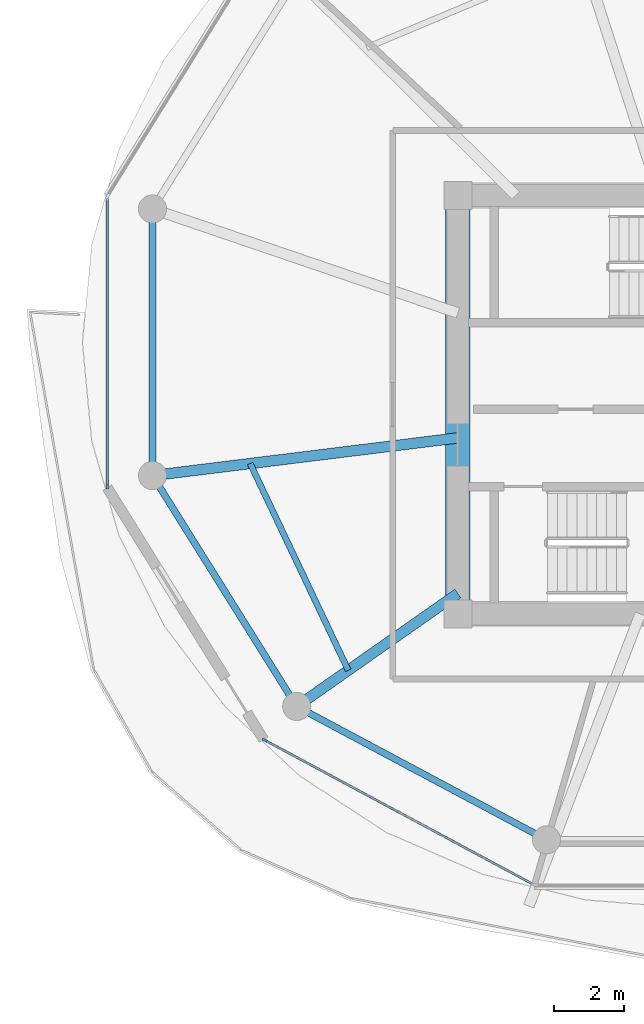
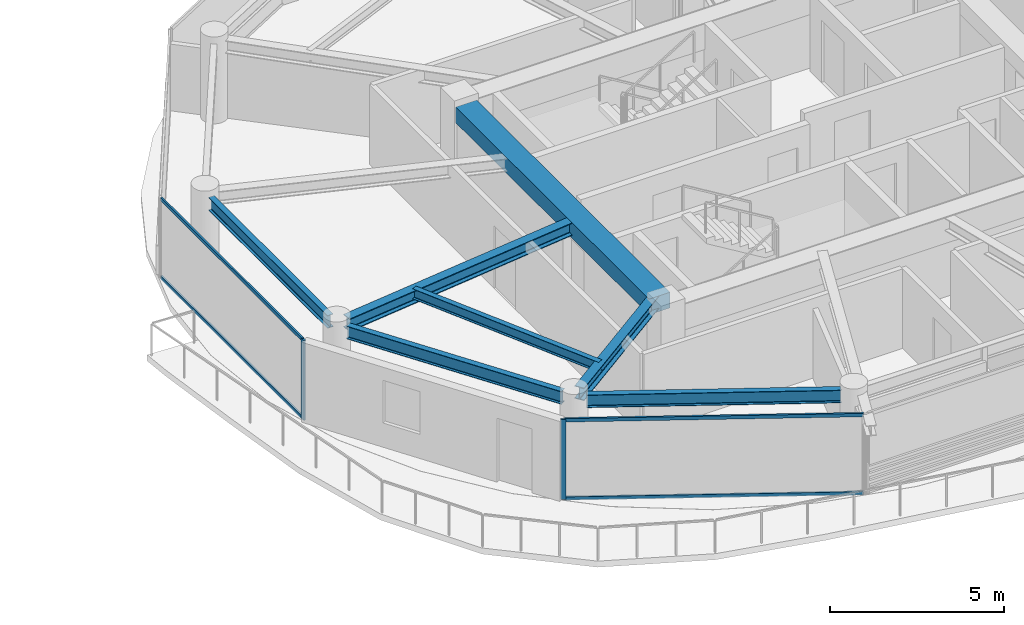
# One storey, part 6 of 21: 7 beams, 6 members, 2 elements without a shape of their own.
"""IFC4 building model written with IfcOpenShell, lengths in metres."""

from ifc_helpers import new_model, si_unit, direction, frame, origin, origin_2d, place, context, subcontext, project, spatial, rectangle, i_section, extrude, source, transform, mapped, material, layer, layer_set, material_profile, profile_set, type_object, type_shapes, element, aggregate, save


model = new_model("IFC4")

# Units and contexts
model_context = context("Model", 3, precision=1e-05, world=origin(), true_north=direction((0.0, 1.0)))
body_context = subcontext(model_context, "Body", "Model", "MODEL_VIEW")
ifc_project = project(units=[si_unit("LENGTHUNIT", "METRE"), si_unit("AREAUNIT", "SQUARE_METRE"), si_unit("VOLUMEUNIT", "CUBIC_METRE"), si_unit("PLANEANGLEUNIT", "RADIAN"), si_unit("MASSUNIT", "GRAM", prefix="KILO")], contexts=[model_context])

# Site, building, storey
site_placement = place(None, origin())
site = spatial("IfcSite", under=ifc_project, at=site_placement, CompositionType="ELEMENT")
building_placement = place(site_placement, origin())
building = spatial("IfcBuilding", under=site, at=building_placement, Name="Norrkilde Senior Care Towers", CompositionType="ELEMENT")
storey_placement = place(building_placement, frame((0.0, 0.0, 143.449951171875)))
storey = spatial("IfcBuildingStorey", under=building, at=storey_placement, Name="L44", CompositionType="ELEMENT", Elevation=143.449951171875)

# Beams
ifc_material_1 = material(Name="Concrete C60/75", Category="concrete")
ifc_material_profile_1 = material_profile(ifc_material_1, rectangle(XDim=0.699951171875, YDim=0.550048828125, at=origin_2d()), Name="RC BM 700x550")
ifc_profile_set_1 = profile_set([ifc_material_profile_1], Name="Concrete C60/75")
beam_type_1 = type_object("IfcBeamType", Name="Core Portal Coupling Beam 700x550", PredefinedType="USERDEFINED", material=ifc_profile_set_1)
shared_shape_1 = source(origin(), body_context, "Body", "SweptSolid", [
    extrude(rectangle(XDim=0.699951171875, YDim=0.550048828125, at=origin_2d()), origin(), (0.0, 0.0, 1.0), 11.14013671875),
])
type_shapes(beam_type_1, [shared_shape_1])
beam_1_placement = place(storey_placement, frame((20.35009765625, -5.570068359375, 2.53515625), z_axis=(0.0, 1.0, 0.0), x_axis=(-1.0, 0.0, 0.0)))
element("IfcBeam", 1, at=beam_1_placement, inside=storey, type_object=beam_type_1, Name="L44 Core E W Coupling Girder", ObjectType="GIRDER", PredefinedType="USERDEFINED", context=body_context, shape_type="MappedRepresentation", body=[
    mapped(shared_shape_1, transform((0.0, 0.0, 0.0), x_axis=(1.0, 0.0, 0.0), y_axis=(0.0, 1.0, 0.0), z_axis=(0.0, 0.0, 1.0), scale=1.0)),
])
ifc_material_2 = material(Name="Steel S355", Category="steel")
ifc_material_profile_2 = material_profile(ifc_material_2, i_section(OverallWidth=0.18994140625, OverallDepth=0.449951171875, WebThickness=0.009521484375, FlangeThickness=0.0146484375, FilletRadius=0.02099609375, at=origin_2d()), Name="IPE 450")
ifc_profile_set_2 = profile_set([ifc_material_profile_2], Name="Steel S355")
beam_type_2 = type_object("IfcBeamType", Name="Perimeter Ring Spandrel Z3 IPE450", PredefinedType="SPANDREL", material=ifc_profile_set_2)
shared_shape_2 = source(origin(), body_context, "Body", "SweptSolid", [
    extrude(i_section(OverallWidth=0.18994140625, OverallDepth=0.449951171875, WebThickness=0.009521484375, FlangeThickness=0.0146484375, FilletRadius=0.02099609375, at=origin_2d()), origin(), (0.0, 0.0, 1.0), 6.86328125),
])
beam_2_placement = place(storey_placement, frame((11.6650390625, 5.20703125, 2.5849609375), z_axis=(0.0, -1.0, 0.0), x_axis=(1.0, 0.0, 0.0)))
element("IfcBeam", 2, at=beam_2_placement, inside=storey, type_object=beam_type_2, Name="L44 Drum E Perimeter Spandrel 06", PredefinedType="SPANDREL", context=body_context, shape_type="MappedRepresentation", body=[
    mapped(shared_shape_2, transform((0.0, 0.0, 0.0), x_axis=(1.0, 0.0, 0.0), y_axis=(0.0, 1.0, 0.0), z_axis=(0.0, 0.0, 1.0), scale=1.0)),
])
shared_shape_3 = source(origin(), body_context, "Body", "SweptSolid", [
    extrude(i_section(OverallWidth=0.18994140625, OverallDepth=0.449951171875, WebThickness=0.009521484375, FlangeThickness=0.0146484375, FilletRadius=0.02099609375, at=origin_2d()), origin(), (0.0, 0.0, 1.0), 7.023193359375),
])
beam_3_placement = place(storey_placement, frame((11.855712890625, -2.32177734375, 2.5849609375), z_axis=(0.529805197269, -0.848119362441, 0.0), x_axis=(0.848119362441, 0.529805197269, 0.0)))
element("IfcBeam", 3, at=beam_3_placement, inside=storey, type_object=beam_type_2, Name="L44 Drum E Perimeter Spandrel 07", PredefinedType="SPANDREL", context=body_context, shape_type="MappedRepresentation", body=[
    mapped(shared_shape_3, transform((0.0, 0.0, 0.0), x_axis=(1.0, 0.0, 0.0), y_axis=(0.0, 1.0, 0.0), z_axis=(0.0, 0.0, 1.0), scale=1.0)),
])
shared_shape_4 = source(origin(), body_context, "Body", "SweptSolid", [
    extrude(i_section(OverallWidth=0.18994140625, OverallDepth=0.449951171875, WebThickness=0.009521484375, FlangeThickness=0.0146484375, FilletRadius=0.02099609375, at=origin_2d()), origin(), (0.0, 0.0, 1.0), 7.333984375),
])
type_shapes(beam_type_2, [shared_shape_2, shared_shape_3, shared_shape_4])
beam_4_placement = place(storey_placement, frame((16.0849609375, -8.753173828125, 2.5849609375), z_axis=(0.882234038987, -0.470811109101, 0.0), x_axis=(0.470811109101, 0.882234038987, 0.0)))
element("IfcBeam", 4, at=beam_4_placement, inside=storey, type_object=beam_type_2, Name="L44 Drum E Perimeter Spandrel 08", PredefinedType="SPANDREL", context=body_context, shape_type="MappedRepresentation", body=[
    mapped(shared_shape_4, transform((0.0, 0.0, 0.0), x_axis=(1.0, 0.0, 0.0), y_axis=(0.0, 1.0, 0.0), z_axis=(0.0, 0.0, 1.0), scale=1.0)),
])
ifc_material_profile_3 = material_profile(ifc_material_2, i_section(OverallWidth=0.300048828125, OverallDepth=0.449951171875, WebThickness=0.013916015625, FlangeThickness=0.02587890625, FilletRadius=0.027099609375, at=origin_2d()), Name="HEB 450")
ifc_profile_set_3 = profile_set([ifc_material_profile_3], Name="Steel S355")
beam_type_3 = type_object("IfcBeamType", Name="Radial Floor Beam Z3 HEB450", PredefinedType="BEAM", material=ifc_profile_set_3)
shared_shape_5 = source(origin(), body_context, "Body", "SweptSolid", [
    extrude(i_section(OverallWidth=0.300048828125, OverallDepth=0.449951171875, WebThickness=0.013916015625, FlangeThickness=0.02587890625, FilletRadius=0.027099609375, at=origin_2d()), origin(), (0.0, 0.0, 1.0), 5.23828125),
])
beam_5_placement = place(storey_placement, frame((20.35009765625, -5.3681640625, 2.5849609375), z_axis=(-0.818592061291, -0.574375345215, 0.0), x_axis=(0.574375345215, -0.818592061291, 0.0)))
element("IfcBeam", 5, at=beam_5_placement, inside=storey, type_object=beam_type_3, Name="L44 Drum E Radial Floor Beam 08", PredefinedType="BEAM", context=body_context, shape_type="MappedRepresentation", body=[
    mapped(shared_shape_5, transform((0.0, 0.0, 0.0), x_axis=(1.0, 0.0, 0.0), y_axis=(0.0, 1.0, 0.0), z_axis=(0.0, 0.0, 1.0), scale=1.0)),
])
shared_shape_6 = source(origin(), body_context, "Body", "SweptSolid", [
    extrude(i_section(OverallWidth=0.300048828125, OverallDepth=0.449951171875, WebThickness=0.013916015625, FlangeThickness=0.02587890625, FilletRadius=0.027099609375, at=origin_2d()), origin(), (0.0, 0.0, 1.0), 8.390869140625),
])
type_shapes(beam_type_3, [shared_shape_5, shared_shape_6])
beam_6_placement = place(storey_placement, frame((20.35009765625, -0.9443359375, 2.5849609375), z_axis=(-0.99246916403, -0.122494728249, 0.0), x_axis=(0.122494728249, -0.99246916403, 0.0)))
element("IfcBeam", 6, at=beam_6_placement, inside=storey, type_object=beam_type_3, Name="L44 Drum E Radial Floor Beam 07", PredefinedType="BEAM", context=body_context, shape_type="MappedRepresentation", body=[
    mapped(shared_shape_6, transform((0.0, 0.0, 0.0), x_axis=(1.0, 0.0, 0.0), y_axis=(0.0, 1.0, 0.0), z_axis=(0.0, 0.0, 1.0), scale=1.0)),
])
ifc_material_profile_4 = material_profile(ifc_material_2, i_section(OverallWidth=0.169921875, OverallDepth=0.360107421875, WebThickness=0.008056640625, FlangeThickness=0.0126953125, FilletRadius=0.01806640625, at=origin_2d()), Name="IPE 360")
ifc_profile_set_4 = profile_set([ifc_material_profile_4], Name="Steel S355")
beam_type_4 = type_object("IfcBeamType", Name="Secondary Floor Joist IPE360", PredefinedType="JOIST", material=ifc_profile_set_4)
shared_shape_7 = source(origin(), body_context, "Body", "SweptSolid", [
    extrude(i_section(OverallWidth=0.169921875, OverallDepth=0.360107421875, WebThickness=0.008056640625, FlangeThickness=0.0126953125, FilletRadius=0.01806640625, at=origin_2d()), origin(), (0.0, 0.0, 1.0), 6.50927734375),
])
type_shapes(beam_type_4, [shared_shape_7])
beam_7_placement = place(storey_placement, frame((14.4443359375, -1.67333984375, 2.630126953125), z_axis=(0.428544169129, -0.90352083269, 0.0), x_axis=(0.90352083269, 0.428544169129, 0.0)))
element("IfcBeam", 7, at=beam_7_placement, inside=storey, type_object=beam_type_4, Name="L44 Drum E Secondary Floor Joist 3", PredefinedType="JOIST", context=body_context, shape_type="MappedRepresentation", body=[
    mapped(shared_shape_7, transform((0.0, 0.0, 0.0), x_axis=(1.0, 0.0, 0.0), y_axis=(0.0, 1.0, 0.0), z_axis=(0.0, 0.0, 1.0), scale=1.0)),
])

# Curtain wall, member
ifc_material_3 = material(Name="Triple Low-E Insulated Glazing", Category="glass")
ifc_layer = layer(ifc_material_3, 0.18994140625)
ifc_layer_set = layer_set([ifc_layer], Name="Triple Low-E Insulated Glazing")
curtain_wall_type = type_object("IfcCurtainWallType", Name="CW4 Zone 3 Senior Residence Curtain Wall", PredefinedType="NOTDEFINED", material=ifc_layer_set)
curtain_wall_1_placement = place(storey_placement, origin())
curtain_wall_1 = element("IfcCurtainWall", 8, at=curtain_wall_1_placement, inside=storey, type_object=curtain_wall_type, Name="L44 Drum E Curtain Wall 05", PredefinedType="NOTDEFINED")
ifc_material_4 = material(Name="Anodised Aluminium", Category="aluminium")
ifc_material_profile_5 = material_profile(ifc_material_4, rectangle(XDim=0.06494140625, YDim=0.14990234375, at=origin_2d()), Name="ALU MULL 65x150")
ifc_profile_set_5 = profile_set([ifc_material_profile_5], Name="Anodised Aluminium")
member_type_1 = type_object("IfcMemberType", Name="Curtain Wall Mullion Z3-Z4 65x150", PredefinedType="MULLION", material=ifc_profile_set_5)
shared_shape_8 = source(origin(), body_context, "Body", "SweptSolid", [
    extrude(rectangle(XDim=0.06494140625, YDim=0.14990234375, at=origin_2d()), origin(), (0.0, 0.0, 1.0), 2.81005859375),
])
type_shapes(member_type_1, [shared_shape_8])
member_1_placement = place(storey_placement, frame((10.38037109375, -2.328125, 0.0), z_axis=(0.0, 0.0, 1.0), x_axis=(-1.0, 0.0, 0.0)))
member_1 = element("IfcMember", 9, at=member_1_placement, type_object=member_type_1, Name="CW-4 mullion 1", PredefinedType="MULLION", context=body_context, shape_type="MappedRepresentation", body=[
    mapped(shared_shape_8, transform((0.0, 0.0, 0.0), x_axis=(1.0, 0.0, 0.0), y_axis=(0.0, 1.0, 0.0), z_axis=(0.0, 0.0, 1.0), scale=1.0)),
])

# Curtain wall, members
curtain_wall_2_placement = place(storey_placement, origin())
curtain_wall_2 = element("IfcCurtainWall", 10, at=curtain_wall_2_placement, inside=storey, type_object=curtain_wall_type, Name="L44 Drum E Curtain Wall 07", PredefinedType="NOTDEFINED")
member_2_placement = place(storey_placement, frame((14.85546875, -9.53955078125, 0.0), z_axis=(0.0, 0.0, 1.0), x_axis=(-0.47311715104, -0.880999524059, 0.0)))
member_2 = element("IfcMember", 11, at=member_2_placement, type_object=member_type_1, Name="CW-4 mullion 2", PredefinedType="MULLION", context=body_context, shape_type="MappedRepresentation", body=[
    mapped(shared_shape_8, transform((0.0, 0.0, 0.0), x_axis=(1.0, 0.0, 0.0), y_axis=(0.0, 1.0, 0.0), z_axis=(0.0, 0.0, 1.0), scale=1.0)),
])
ifc_material_profile_6 = material_profile(ifc_material_4, rectangle(XDim=0.06005859375, YDim=0.1201171875, at=origin_2d()), Name="ALU TRAN 60x120")
ifc_profile_set_6 = profile_set([ifc_material_profile_6], Name="Anodised Aluminium")
member_type_2 = type_object("IfcMemberType", Name="Curtain Wall Transom Typical 60x120", PredefinedType="USERDEFINED", material=ifc_profile_set_6)
shared_shape_9 = source(origin(), body_context, "Body", "SweptSolid", [
    extrude(rectangle(XDim=0.06005859375, YDim=0.1201171875, at=origin_2d()), origin(), (0.0, 0.0, 1.0), 8.61181640625),
])
member_3_placement = place(storey_placement, frame((22.47119140625, -13.62939453125, 0.030029296875), z_axis=(-0.880993991641, 0.473127452906, 0.0), x_axis=(-0.473127452906, -0.880993991641, 0.0)))
member_3 = element("IfcMember", 12, at=member_3_placement, type_object=member_type_2, Name="CW-4 transom 1.1", ObjectType="TRANSOM", PredefinedType="USERDEFINED", context=body_context, shape_type="MappedRepresentation", body=[
    mapped(shared_shape_9, transform((0.0, 0.0, 0.0), x_axis=(1.0, 0.0, 0.0), y_axis=(0.0, 1.0, 0.0), z_axis=(0.0, 0.0, 1.0), scale=1.0)),
])
member_4_placement = place(storey_placement, frame((22.47119140625, -13.62939453125, 2.780029296875), z_axis=(-0.880993991641, 0.473127452906, 0.0), x_axis=(-0.473127452906, -0.880993991641, 0.0)))
member_4 = element("IfcMember", 13, at=member_4_placement, type_object=member_type_2, Name="CW-4 transom 1.2", ObjectType="TRANSOM", PredefinedType="USERDEFINED", context=body_context, shape_type="MappedRepresentation", body=[
    mapped(shared_shape_9, transform((0.0, 0.0, 0.0), x_axis=(1.0, 0.0, 0.0), y_axis=(0.0, 1.0, 0.0), z_axis=(0.0, 0.0, 1.0), scale=1.0)),
])
aggregate(curtain_wall_2, [member_2, member_3, member_4])

# Member
shared_shape_10 = source(origin(), body_context, "Body", "SweptSolid", [
    extrude(rectangle(XDim=0.06005859375, YDim=0.1201171875, at=origin_2d()), origin(), (0.0, 0.0, 1.0), 8.141845703125),
])
type_shapes(member_type_2, [shared_shape_9, shared_shape_10])
member_5_placement = place(storey_placement, frame((10.38037109375, -2.295654296875, 0.030029296875), z_axis=(0.0, 1.0, 0.0), x_axis=(-1.0, 0.0, 0.0)))
member_5 = element("IfcMember", 14, at=member_5_placement, type_object=member_type_2, Name="CW-4 transom 1.1", ObjectType="TRANSOM", PredefinedType="USERDEFINED", context=body_context, shape_type="MappedRepresentation", body=[
    mapped(shared_shape_10, transform((0.0, 0.0, 0.0), x_axis=(1.0, 0.0, 0.0), y_axis=(0.0, 1.0, 0.0), z_axis=(0.0, 0.0, 1.0), scale=1.0)),
])

member_6_placement = place(storey_placement, frame((10.38037109375, -2.295654296875, 2.780029296875), z_axis=(0.0, 1.0, 0.0), x_axis=(-1.0, 0.0, 0.0)))
member_6 = element("IfcMember", 15, at=member_6_placement, type_object=member_type_2, Name="CW-4 transom 1.2", ObjectType="TRANSOM", PredefinedType="USERDEFINED", context=body_context, shape_type="MappedRepresentation", body=[
    mapped(shared_shape_10, transform((0.0, 0.0, 0.0), x_axis=(1.0, 0.0, 0.0), y_axis=(0.0, 1.0, 0.0), z_axis=(0.0, 0.0, 1.0), scale=1.0)),
])

aggregate(curtain_wall_1, [member_1, member_5, member_6])

save(model, "model.ifc")
